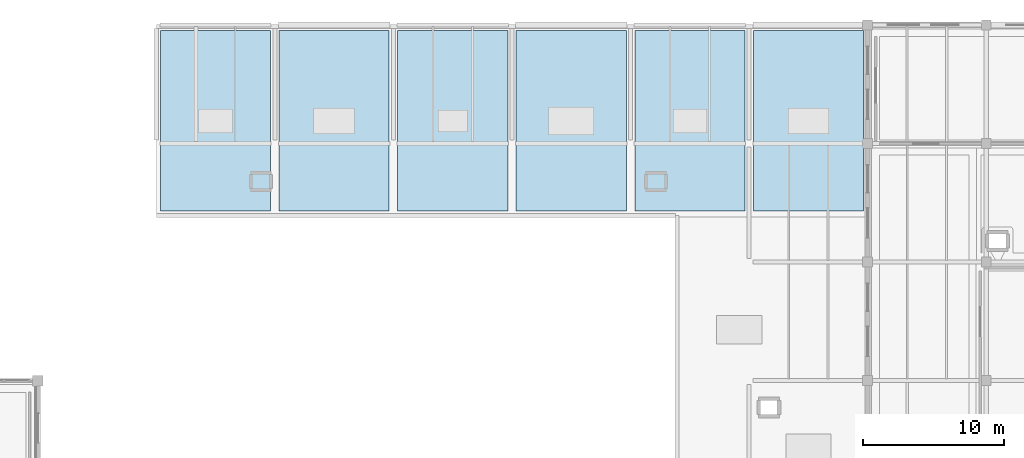
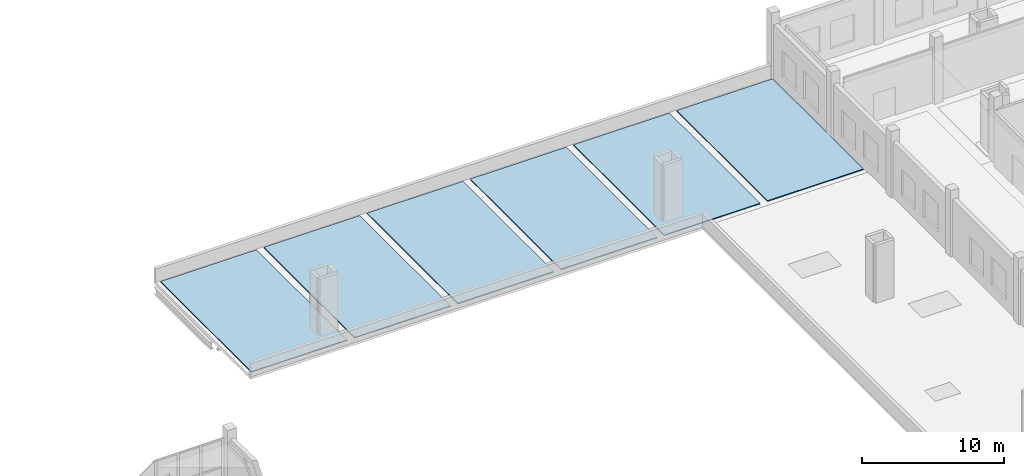
# One storey, part 44 of 49: 6 roofs.
"""IFC4 building model written with IfcOpenShell, lengths in metres."""

from ifc_helpers import new_model, si_unit, direction, frame, origin, place, context, subcontext, project, spatial, polyline, outline, extrude, material, layer, layer_set, type_object, element, save


model = new_model("IFC4")

# Units and contexts
model_context = context("Model", 3, precision=1e-05, world=origin(), true_north=direction((0.0, 1.0)))
body_context = subcontext(model_context, "Body", "Model", "MODEL_VIEW")
ifc_project = project(units=[si_unit("LENGTHUNIT", "METRE"), si_unit("AREAUNIT", "SQUARE_METRE"), si_unit("VOLUMEUNIT", "CUBIC_METRE"), si_unit("PLANEANGLEUNIT", "RADIAN"), si_unit("MASSUNIT", "GRAM", prefix="KILO")], contexts=[model_context])

# Site, building, storey
site_placement = place(None, origin())
site = spatial("IfcSite", under=ifc_project, at=site_placement, CompositionType="ELEMENT")
building_placement = place(site_placement, origin())
building = spatial("IfcBuilding", under=site, at=building_placement, Name="Zulmaris Art Gallery", CompositionType="ELEMENT")
storey_placement = place(building_placement, frame((0.0, 0.0, 20.699951171875)))
storey = spatial("IfcBuildingStorey", under=building, at=storey_placement, Name="L04", CompositionType="ELEMENT", Elevation=20.699951171875)

# Roofs
ifc_material = material(Name="Insulated Limestone Ballasted Roof", Category="masonry")
ifc_layer = layer(ifc_material, 0.080078125)
ifc_layer_set = layer_set([ifc_layer], Name="Insulated Limestone Ballasted Roof")
roof_type = type_object("IfcRoofType", Name="ROOF-RF-PAV", PredefinedType="PAVILION_ROOF", material=ifc_layer_set)
roof_1_placement = place(storey_placement, origin())
element("IfcRoof", 1, at=roof_1_placement, inside=storey, type_object=roof_type, Name="V4 Pavilion Insulated Limestone Roof 1", PredefinedType="PAVILION_ROOF", context=body_context, shape_type="SweptSolid", body=[
    extrude(outline(polyline([(91.5, 62.39990234375), (99.300048828125, 62.39990234375), (99.300048828125, 75.199951171875), (91.5, 75.199951171875), (91.5, 62.39990234375)])), origin(), (0.0, 0.0, 1.0), 0.080078125),
])
roof_2_placement = place(storey_placement, origin())
element("IfcRoof", 2, at=roof_2_placement, inside=storey, type_object=roof_type, Name="V4 Pavilion Insulated Limestone Roof 2", PredefinedType="PAVILION_ROOF", context=body_context, shape_type="SweptSolid", body=[
    extrude(outline(polyline([(99.89990234375, 62.39990234375), (107.699951171875, 62.39990234375), (107.699951171875, 75.199951171875), (99.89990234375, 75.199951171875), (99.89990234375, 62.39990234375)])), origin(), (0.0, 0.0, 1.0), 0.080078125),
])
roof_3_placement = place(storey_placement, origin())
element("IfcRoof", 3, at=roof_3_placement, inside=storey, type_object=roof_type, Name="V4 Pavilion Insulated Limestone Roof 3", PredefinedType="PAVILION_ROOF", context=body_context, shape_type="SweptSolid", body=[
    extrude(outline(polyline([(108.300048828125, 62.39990234375), (116.10009765625, 62.39990234375), (116.10009765625, 75.199951171875), (108.300048828125, 75.199951171875), (108.300048828125, 62.39990234375)])), origin(), (0.0, 0.0, 1.0), 0.080078125),
])
roof_4_placement = place(storey_placement, origin())
element("IfcRoof", 4, at=roof_4_placement, inside=storey, type_object=roof_type, Name="V4 Pavilion Insulated Limestone Roof 4", PredefinedType="PAVILION_ROOF", context=body_context, shape_type="SweptSolid", body=[
    extrude(outline(polyline([(116.699951171875, 62.39990234375), (124.5, 62.39990234375), (124.5, 75.199951171875), (116.699951171875, 75.199951171875), (116.699951171875, 62.39990234375)])), origin(), (0.0, 0.0, 1.0), 0.080078125),
])
roof_5_placement = place(storey_placement, origin())
element("IfcRoof", 5, at=roof_5_placement, inside=storey, type_object=roof_type, Name="V4 Pavilion Insulated Limestone Roof 5", PredefinedType="PAVILION_ROOF", context=body_context, shape_type="SweptSolid", body=[
    extrude(outline(polyline([(125.10009765625, 62.39990234375), (132.89990234375, 62.39990234375), (132.89990234375, 75.199951171875), (125.10009765625, 75.199951171875), (125.10009765625, 62.39990234375)])), origin(), (0.0, 0.0, 1.0), 0.080078125),
])
roof_6_placement = place(storey_placement, origin())
element("IfcRoof", 6, at=roof_6_placement, inside=storey, type_object=roof_type, Name="V4 Pavilion Insulated Limestone Roof 6", PredefinedType="PAVILION_ROOF", context=body_context, shape_type="SweptSolid", body=[
    extrude(outline(polyline([(133.5, 62.39990234375), (141.300048828125, 62.39990234375), (141.300048828125, 75.199951171875), (133.5, 75.199951171875), (133.5, 62.39990234375)])), origin(), (0.0, 0.0, 1.0), 0.080078125),
])

save(model, "model.ifc")
